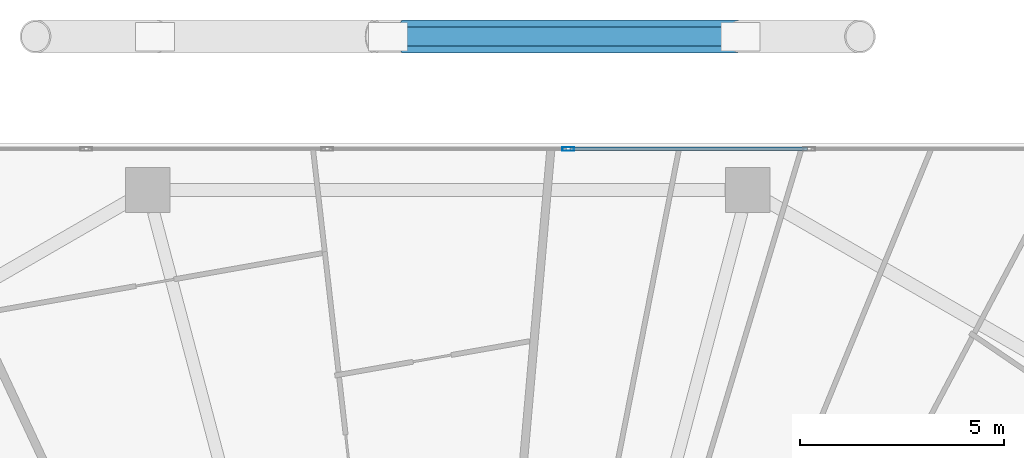
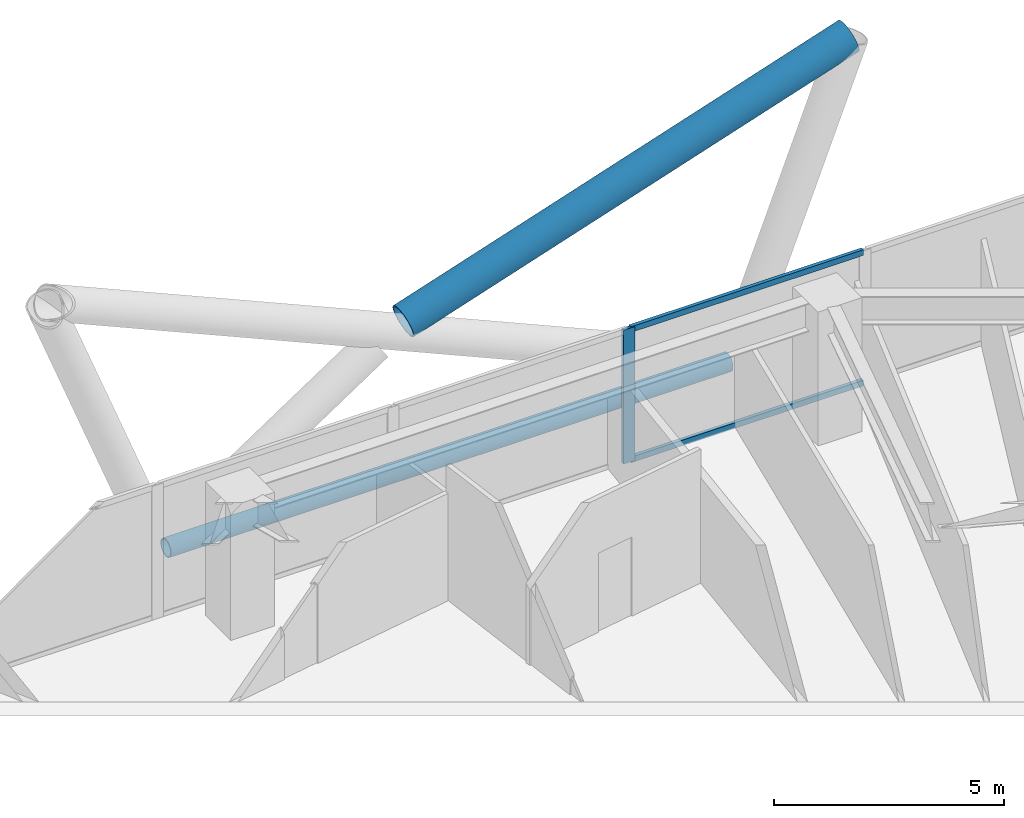
# One storey, part 22 of 34: 5 members, 1 element without a shape of its own.
"""IFC4 building model written with IfcOpenShell, lengths in metres."""

from ifc_helpers import new_model, si_unit, direction, frame, origin, origin_2d, place, context, subcontext, project, spatial, hollow_rectangle, hollow_circle, extrude, material, material_profile, profile_set, type_object, element, aggregate, save


model = new_model("IFC4")

# Units and contexts
model_context = context("Model", 3, precision=1e-05, world=origin(), true_north=direction((0.0, 1.0)))
body_context = subcontext(model_context, "Body", "Model", "MODEL_VIEW")
ifc_project = project(units=[si_unit("LENGTHUNIT", "METRE"), si_unit("AREAUNIT", "SQUARE_METRE"), si_unit("VOLUMEUNIT", "CUBIC_METRE"), si_unit("PLANEANGLEUNIT", "RADIAN"), si_unit("MASSUNIT", "GRAM", prefix="KILO")], contexts=[model_context])

# Site, building, storey
site_placement = place(None, origin())
site = spatial("IfcSite", under=ifc_project, at=site_placement, CompositionType="ELEMENT")
building_placement = place(site_placement, origin())
building = spatial("IfcBuilding", under=site, at=building_placement, Name="Zuhravey Tower", CompositionType="ELEMENT")
storey_placement = place(building_placement, frame((0.0, 0.0, 130.39990234375)))
storey = spatial("IfcBuildingStorey", under=building, at=storey_placement, Name="L32", CompositionType="ELEMENT", Elevation=130.39990234375)

# Curtain wall, members
ifc_material_1 = material(Name="Thermally broken anodised aluminium", Category="aluminium")
curtain_wall_type = type_object("IfcCurtainWallType", Name="Zone 1-2 Residential Curtain Wall CW3", PredefinedType="NOTDEFINED", material=ifc_material_1)
curtain_wall_placement = place(storey_placement, origin())
curtain_wall = element("IfcCurtainWall", 1, at=curtain_wall_placement, inside=storey, type_object=curtain_wall_type, Name="L32 CW3 CW-L32-F2-1", PredefinedType="NOTDEFINED")
ifc_material_2 = material(Name="Anodised aluminium", Category="aluminium")
ifc_material_profile_1 = material_profile(ifc_material_2, hollow_rectangle(XDim=0.090087890625, YDim=0.284912109375, WallThickness=0.0048828125, at=origin_2d()), Name="ALU-RHS-90x285x5")
ifc_profile_set_1 = profile_set([ifc_material_profile_1], Name="Anodised aluminium")
member_type_1 = type_object("IfcMemberType", Name="Curtain-Wall Mullion 90x180", PredefinedType="MULLION", material=ifc_profile_set_1)
member_1_placement = place(storey_placement, frame((38.9599609375, 60.95849609375, 0.0), z_axis=(0.0, 0.0, 1.0), x_axis=(0.0, 1.0, 0.0)))
member_1 = element("IfcMember", 2, at=member_1_placement, type_object=member_type_1, Name="CW3 mullion 4", PredefinedType="MULLION", context=body_context, shape_type="SweptSolid", body=[
    extrude(hollow_rectangle(XDim=0.090087890625, YDim=0.284912109375, WallThickness=0.0048828125, at=origin_2d()), origin(), (0.0, 0.0, 1.0), 3.550048828125),
])
ifc_material_profile_2 = material_profile(ifc_material_2, hollow_rectangle(XDim=0.090087890625, YDim=0.14990234375, WallThickness=0.0048828125, at=origin_2d()), Name="ALU-RHS-90x150x5")
ifc_profile_set_2 = profile_set([ifc_material_profile_2], Name="Anodised aluminium")
member_type_2 = type_object("IfcMemberType", Name="Curtain-Wall Transom 90x150", PredefinedType="USERDEFINED", material=ifc_profile_set_2)
member_2_placement = place(storey_placement, frame((39.0048828125, 60.95849609375, 0.045166015625), z_axis=(1.0, 0.0, 0.0), x_axis=(0.0, 1.0, 0.0)))
member_2 = element("IfcMember", 3, at=member_2_placement, type_object=member_type_2, Name="CW3 transom 4.1", ObjectType="TRANSOM", PredefinedType="USERDEFINED", context=body_context, shape_type="SweptSolid", body=[
    extrude(hollow_rectangle(XDim=0.090087890625, YDim=0.14990234375, WallThickness=0.0048828125, at=origin_2d()), origin(), (0.0, 0.0, 1.0), 5.829833984375),
])
member_3_placement = place(storey_placement, frame((39.0048828125, 60.95849609375, 3.505126953125), z_axis=(1.0, 0.0, 0.0), x_axis=(0.0, 1.0, 0.0)))
member_3 = element("IfcMember", 4, at=member_3_placement, type_object=member_type_2, Name="CW3 transom 4.2", ObjectType="TRANSOM", PredefinedType="USERDEFINED", context=body_context, shape_type="SweptSolid", body=[
    extrude(hollow_rectangle(XDim=0.090087890625, YDim=0.14990234375, WallThickness=0.0048828125, at=origin_2d()), origin(), (0.0, 0.0, 1.0), 5.829833984375),
])
aggregate(curtain_wall, [member_1, member_2, member_3])

# Members
ifc_material_3 = material(Name="Steel SM355", Category="steel")
ifc_material_profile_3 = material_profile(ifc_material_3, hollow_circle(Radius=0.228515625, WallThickness=0.02197265625, at=origin_2d()), Name="CHS-457.2x22")
ifc_profile_set_3 = profile_set([ifc_material_profile_3], Name="Steel SM355")
member_type_3 = type_object("IfcMemberType", Name="Exoskeleton Ring Tie CHS457x22", PredefinedType="CHORD", material=ifc_profile_set_3)
member_4_placement = place(storey_placement, frame((43.053955078125, 63.718505859375, -0.4638671875), z_axis=(-1.0, 0.0, 0.0), x_axis=(0.0, -1.0, 0.0)))
element("IfcMember", 5, at=member_4_placement, inside=storey, type_object=member_type_3, Name="L32 Exoskeleton Face 2 Tie EXR1", PredefinedType="CHORD", context=body_context, shape_type="SweptSolid", body=[
    extrude(hollow_circle(Radius=0.228515625, WallThickness=0.02197265625, at=origin_2d()), origin(), (0.0, 0.0, 1.0), 14.10791015625),
])
ifc_material_4 = material(Name="Steel SM460", Category="steel")
ifc_material_profile_4 = material_profile(ifc_material_4, hollow_circle(Radius=0.406494140625, WallThickness=0.035888671875, at=origin_2d()), Name="CHS-812.8x36")
ifc_profile_set_4 = profile_set([ifc_material_profile_4], Name="Steel SM460")
member_type_4 = type_object("IfcMemberType", Name="Exoskeleton Zone 1 Diagrid CHS813x36", PredefinedType="BRACE", material=ifc_profile_set_4)
member_5_placement = place(storey_placement, frame((34.9052734375, 63.718505859375, 3.45947265625), z_axis=(0.950373477591, 0.0, 0.311111319453), x_axis=(0.0, 1.0, 0.0)))
element("IfcMember", 6, at=member_5_placement, inside=storey, type_object=member_type_4, Name="L32 Face 2 Split Diagrid Brace 3B", PredefinedType="BRACE", context=body_context, shape_type="SweptSolid", body=[
    extrude(hollow_circle(Radius=0.406494140625, WallThickness=0.035888671875, at=origin_2d()), origin(), (0.0, 0.0, 1.0), 11.76318359375),
])

save(model, "model.ifc")
